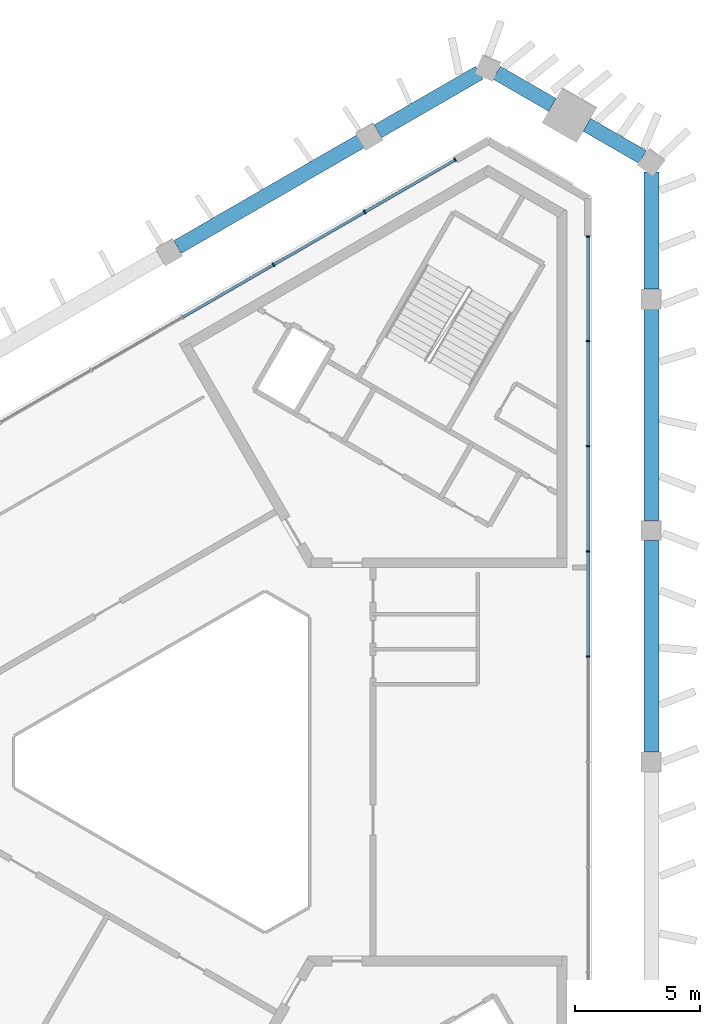
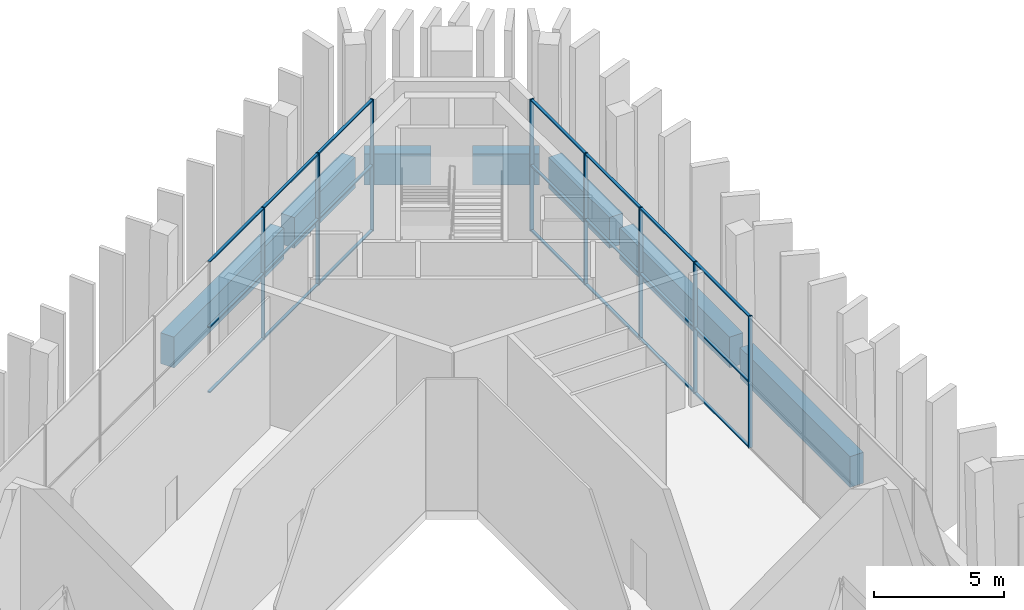
# One storey, part 6 of 13: 29 members, 7 beams, 2 elements without a shape of their own.
"""IFC4 building model written with IfcOpenShell, lengths in metres."""

from ifc_helpers import new_model, si_unit, direction, frame, origin, origin_2d, place, context, subcontext, project, spatial, rectangle, extrude, material, layer, layer_set, material_profile, profile_set, type_object, element, aggregate, save


model = new_model("IFC4")

# Units and contexts
model_context = context("Model", 3, precision=1e-05, world=origin(), true_north=direction((0.0, 1.0)))
body_context = subcontext(model_context, "Body", "Model", "MODEL_VIEW")
ifc_project = project(units=[si_unit("LENGTHUNIT", "METRE"), si_unit("AREAUNIT", "SQUARE_METRE"), si_unit("VOLUMEUNIT", "CUBIC_METRE"), si_unit("PLANEANGLEUNIT", "RADIAN"), si_unit("MASSUNIT", "GRAM", prefix="KILO")], contexts=[model_context])

# Site, building, storey
site_placement = place(None, origin())
site = spatial("IfcSite", under=ifc_project, at=site_placement, CompositionType="ELEMENT")
building_placement = place(site_placement, origin())
building = spatial("IfcBuilding", under=site, at=building_placement, Name="Jabali Bay Hotel Tower and Convention Centre", CompositionType="ELEMENT")
storey_placement = place(building_placement, frame((0.0, 0.0, 315.800048828125)))
storey = spatial("IfcBuildingStorey", under=building, at=storey_placement, Name="L77", CompositionType="ELEMENT", Elevation=315.800048828125)

# Curtain wall, members
ifc_material_1 = material(Name="Aluminium and glass", Category="aluminium")
ifc_layer = layer(ifc_material_1, 0.159912109375)
ifc_layer_set = layer_set([ifc_layer], Name="Aluminium and glass")
curtain_wall_type = type_object("IfcCurtainWallType", Name="CW3 curtain wall", PredefinedType="NOTDEFINED", material=ifc_layer_set)
curtain_wall_1_placement = place(storey_placement, origin())
curtain_wall_1 = element("IfcCurtainWall", 1, at=curtain_wall_1_placement, inside=storey, type_object=curtain_wall_type, Name="CW3 curtain wall east face L77", PredefinedType="NOTDEFINED")
ifc_material_2 = material(Name="Aluminium", Category="aluminium")
ifc_material_profile_1 = material_profile(ifc_material_2, rectangle(XDim=0.159912109375, YDim=0.06005859375, at=origin_2d()), Name="CW3 mullion 60 x 160")
ifc_profile_set_1 = profile_set([ifc_material_profile_1], Name="Aluminium")
member_type_1 = type_object("IfcMemberType", Name="CW3 mullion 60 x 160", PredefinedType="MULLION", material=ifc_profile_set_1)
member_1_placement = place(storey_placement, frame((90.72998046875, 101.08837890625, 0.0), z_axis=(0.0, 0.0, 1.0), x_axis=(1.0, 0.0, 0.0)))
member_1 = element("IfcMember", 2, at=member_1_placement, type_object=member_type_1, Name="CW3 mullion 1", PredefinedType="MULLION", context=body_context, shape_type="SweptSolid", body=[
    extrude(rectangle(XDim=0.159912109375, YDim=0.06005859375, at=origin_2d()), origin(), (0.0, 0.0, 1.0), 6.199951171875),
])
member_2_placement = place(storey_placement, frame((90.72998046875, 96.894775390625, 0.0), z_axis=(0.0, 0.0, 1.0), x_axis=(1.0, 0.0, 0.0)))
member_2 = element("IfcMember", 3, at=member_2_placement, type_object=member_type_1, Name="CW3 mullion 2", PredefinedType="MULLION", context=body_context, shape_type="SweptSolid", body=[
    extrude(rectangle(XDim=0.159912109375, YDim=0.06005859375, at=origin_2d()), origin(), (0.0, 0.0, 1.0), 6.199951171875),
])
member_3_placement = place(storey_placement, frame((90.72998046875, 92.6708984375, 0.0), z_axis=(0.0, 0.0, 1.0), x_axis=(1.0, 0.0, 0.0)))
member_3 = element("IfcMember", 4, at=member_3_placement, type_object=member_type_1, Name="CW3 mullion 3", PredefinedType="MULLION", context=body_context, shape_type="SweptSolid", body=[
    extrude(rectangle(XDim=0.159912109375, YDim=0.06005859375, at=origin_2d()), origin(), (0.0, 0.0, 1.0), 6.199951171875),
])
member_4_placement = place(storey_placement, frame((90.72998046875, 88.447265625, 0.0), z_axis=(0.0, 0.0, 1.0), x_axis=(1.0, 0.0, 0.0)))
member_4 = element("IfcMember", 5, at=member_4_placement, type_object=member_type_1, Name="CW3 mullion 4", PredefinedType="MULLION", context=body_context, shape_type="SweptSolid", body=[
    extrude(rectangle(XDim=0.159912109375, YDim=0.06005859375, at=origin_2d()), origin(), (0.0, 0.0, 1.0), 6.199951171875),
])
member_5_placement = place(storey_placement, frame((90.72998046875, 84.2236328125, 0.0), z_axis=(0.0, 0.0, 1.0), x_axis=(1.0, 0.0, 0.0)))
member_5 = element("IfcMember", 6, at=member_5_placement, type_object=member_type_1, Name="CW3 mullion 5", PredefinedType="MULLION", context=body_context, shape_type="SweptSolid", body=[
    extrude(rectangle(XDim=0.159912109375, YDim=0.06005859375, at=origin_2d()), origin(), (0.0, 0.0, 1.0), 6.199951171875),
])

curtain_wall_2_placement = place(storey_placement, origin())
curtain_wall_2 = element("IfcCurtainWall", 7, at=curtain_wall_2_placement, inside=storey, type_object=curtain_wall_type, Name="CW3 curtain wall north-west face L77", PredefinedType="NOTDEFINED")
member_6_placement = place(storey_placement, frame((78.1083984375, 99.9580078125, 0.0), z_axis=(0.0, 0.0, 1.0), x_axis=(-0.500000004081, 0.866025401428, 0.0)))
member_6 = element("IfcMember", 8, at=member_6_placement, type_object=member_type_1, Name="CW3 mullion 9", PredefinedType="MULLION", context=body_context, shape_type="SweptSolid", body=[
    extrude(rectangle(XDim=0.159912109375, YDim=0.06005859375, at=origin_2d()), origin(), (0.0, 0.0, 1.0), 6.199951171875),
])
member_7_placement = place(storey_placement, frame((81.76611328125, 102.06982421875, 0.0), z_axis=(0.0, 0.0, 1.0), x_axis=(-0.500000004081, 0.866025401428, 0.0)))
member_7 = element("IfcMember", 9, at=member_7_placement, type_object=member_type_1, Name="CW3 mullion 10", PredefinedType="MULLION", context=body_context, shape_type="SweptSolid", body=[
    extrude(rectangle(XDim=0.159912109375, YDim=0.06005859375, at=origin_2d()), origin(), (0.0, 0.0, 1.0), 6.199951171875),
])
member_8_placement = place(storey_placement, frame((85.39794921875, 104.166748046875, 0.0), z_axis=(0.0, 0.0, 1.0), x_axis=(-0.500000004081, 0.866025401428, 0.0)))
member_8 = element("IfcMember", 10, at=member_8_placement, type_object=member_type_1, Name="CW3 mullion 11", PredefinedType="MULLION", context=body_context, shape_type="SweptSolid", body=[
    extrude(rectangle(XDim=0.159912109375, YDim=0.06005859375, at=origin_2d()), origin(), (0.0, 0.0, 1.0), 6.199951171875),
])

# Member
ifc_material_profile_2 = material_profile(ifc_material_2, rectangle(XDim=0.1201171875, YDim=0.06005859375, at=origin_2d()), Name="CW3 transom 60 x 120")
ifc_profile_set_2 = profile_set([ifc_material_profile_2], Name="Aluminium")
member_type_2 = type_object("IfcMemberType", Name="CW3 transom 60 x 120", PredefinedType="USERDEFINED", material=ifc_profile_set_2)
member_9_placement = place(storey_placement, frame((90.72998046875, 101.058349609375, 0.030029296875), z_axis=(0.0, -1.0, 0.0), x_axis=(1.0, 0.0, 0.0)))
member_9 = element("IfcMember", 11, at=member_9_placement, type_object=member_type_2, Name="CW3 transom 1.1", ObjectType="TRANSOM", PredefinedType="USERDEFINED", context=body_context, shape_type="SweptSolid", body=[
    extrude(rectangle(XDim=0.1201171875, YDim=0.06005859375, at=origin_2d()), origin(), (0.0, 0.0, 1.0), 4.133544921875),
])

member_10_placement = place(storey_placement, frame((90.72998046875, 101.058349609375, 3.099853515625), z_axis=(0.0, -1.0, 0.0), x_axis=(1.0, 0.0, 0.0)))
member_10 = element("IfcMember", 12, at=member_10_placement, type_object=member_type_2, Name="CW3 transom 1.2", ObjectType="TRANSOM", PredefinedType="USERDEFINED", context=body_context, shape_type="SweptSolid", body=[
    extrude(rectangle(XDim=0.1201171875, YDim=0.06005859375, at=origin_2d()), origin(), (0.0, 0.0, 1.0), 4.133544921875),
])

member_11_placement = place(storey_placement, frame((90.72998046875, 101.058349609375, 6.169921875), z_axis=(0.0, -1.0, 0.0), x_axis=(1.0, 0.0, 0.0)))
member_11 = element("IfcMember", 13, at=member_11_placement, type_object=member_type_2, Name="CW3 transom 1.3", ObjectType="TRANSOM", PredefinedType="USERDEFINED", context=body_context, shape_type="SweptSolid", body=[
    extrude(rectangle(XDim=0.1201171875, YDim=0.06005859375, at=origin_2d()), origin(), (0.0, 0.0, 1.0), 4.133544921875),
])

member_12_placement = place(storey_placement, frame((90.72998046875, 96.86474609375, 0.030029296875), z_axis=(0.0, -1.0, 0.0), x_axis=(1.0, 0.0, 0.0)))
member_12 = element("IfcMember", 14, at=member_12_placement, type_object=member_type_2, Name="CW3 transom 2.1", ObjectType="TRANSOM", PredefinedType="USERDEFINED", context=body_context, shape_type="SweptSolid", body=[
    extrude(rectangle(XDim=0.1201171875, YDim=0.06005859375, at=origin_2d()), origin(), (0.0, 0.0, 1.0), 4.163818359375),
])

member_13_placement = place(storey_placement, frame((90.72998046875, 96.86474609375, 3.099853515625), z_axis=(0.0, -1.0, 0.0), x_axis=(1.0, 0.0, 0.0)))
member_13 = element("IfcMember", 15, at=member_13_placement, type_object=member_type_2, Name="CW3 transom 2.2", ObjectType="TRANSOM", PredefinedType="USERDEFINED", context=body_context, shape_type="SweptSolid", body=[
    extrude(rectangle(XDim=0.1201171875, YDim=0.06005859375, at=origin_2d()), origin(), (0.0, 0.0, 1.0), 4.163818359375),
])

member_14_placement = place(storey_placement, frame((90.72998046875, 96.86474609375, 6.169921875), z_axis=(0.0, -1.0, 0.0), x_axis=(1.0, 0.0, 0.0)))
member_14 = element("IfcMember", 16, at=member_14_placement, type_object=member_type_2, Name="CW3 transom 2.3", ObjectType="TRANSOM", PredefinedType="USERDEFINED", context=body_context, shape_type="SweptSolid", body=[
    extrude(rectangle(XDim=0.1201171875, YDim=0.06005859375, at=origin_2d()), origin(), (0.0, 0.0, 1.0), 4.163818359375),
])

member_15_placement = place(storey_placement, frame((90.72998046875, 92.64111328125, 0.030029296875), z_axis=(0.0, -1.0, 0.0), x_axis=(1.0, 0.0, 0.0)))
member_15 = element("IfcMember", 17, at=member_15_placement, type_object=member_type_2, Name="CW3 transom 3.1", ObjectType="TRANSOM", PredefinedType="USERDEFINED", context=body_context, shape_type="SweptSolid", body=[
    extrude(rectangle(XDim=0.1201171875, YDim=0.06005859375, at=origin_2d()), origin(), (0.0, 0.0, 1.0), 4.163818359375),
])

member_16_placement = place(storey_placement, frame((90.72998046875, 92.64111328125, 3.099853515625), z_axis=(0.0, -1.0, 0.0), x_axis=(1.0, 0.0, 0.0)))
member_16 = element("IfcMember", 18, at=member_16_placement, type_object=member_type_2, Name="CW3 transom 3.2", ObjectType="TRANSOM", PredefinedType="USERDEFINED", context=body_context, shape_type="SweptSolid", body=[
    extrude(rectangle(XDim=0.1201171875, YDim=0.06005859375, at=origin_2d()), origin(), (0.0, 0.0, 1.0), 4.163818359375),
])

member_17_placement = place(storey_placement, frame((90.72998046875, 92.64111328125, 6.169921875), z_axis=(0.0, -1.0, 0.0), x_axis=(1.0, 0.0, 0.0)))
member_17 = element("IfcMember", 19, at=member_17_placement, type_object=member_type_2, Name="CW3 transom 3.3", ObjectType="TRANSOM", PredefinedType="USERDEFINED", context=body_context, shape_type="SweptSolid", body=[
    extrude(rectangle(XDim=0.1201171875, YDim=0.06005859375, at=origin_2d()), origin(), (0.0, 0.0, 1.0), 4.163818359375),
])

member_18_placement = place(storey_placement, frame((90.72998046875, 88.417236328125, 0.030029296875), z_axis=(0.0, -1.0, 0.0), x_axis=(1.0, 0.0, 0.0)))
member_18 = element("IfcMember", 20, at=member_18_placement, type_object=member_type_2, Name="CW3 transom 4.1", ObjectType="TRANSOM", PredefinedType="USERDEFINED", context=body_context, shape_type="SweptSolid", body=[
    extrude(rectangle(XDim=0.1201171875, YDim=0.06005859375, at=origin_2d()), origin(), (0.0, 0.0, 1.0), 4.16357421875),
])

member_19_placement = place(storey_placement, frame((90.72998046875, 88.417236328125, 3.099853515625), z_axis=(0.0, -1.0, 0.0), x_axis=(1.0, 0.0, 0.0)))
member_19 = element("IfcMember", 21, at=member_19_placement, type_object=member_type_2, Name="CW3 transom 4.2", ObjectType="TRANSOM", PredefinedType="USERDEFINED", context=body_context, shape_type="SweptSolid", body=[
    extrude(rectangle(XDim=0.1201171875, YDim=0.06005859375, at=origin_2d()), origin(), (0.0, 0.0, 1.0), 4.16357421875),
])

member_20_placement = place(storey_placement, frame((90.72998046875, 88.417236328125, 6.169921875), z_axis=(0.0, -1.0, 0.0), x_axis=(1.0, 0.0, 0.0)))
member_20 = element("IfcMember", 22, at=member_20_placement, type_object=member_type_2, Name="CW3 transom 4.3", ObjectType="TRANSOM", PredefinedType="USERDEFINED", context=body_context, shape_type="SweptSolid", body=[
    extrude(rectangle(XDim=0.1201171875, YDim=0.06005859375, at=origin_2d()), origin(), (0.0, 0.0, 1.0), 4.16357421875),
])

aggregate(curtain_wall_1, [member_1, member_2, member_3, member_4, member_5, member_9, member_10, member_11, member_12, member_13, member_14, member_15, member_16, member_17, member_18, member_19, member_20])

member_21_placement = place(storey_placement, frame((74.4765625, 97.861328125, 0.030029296875), z_axis=(0.866037171035, 0.49997961797, 0.0), x_axis=(-0.49997961797, 0.866037171035, 0.0)))
member_21 = element("IfcMember", 23, at=member_21_placement, type_object=member_type_2, Name="CW3 transom 8.1", ObjectType="TRANSOM", PredefinedType="USERDEFINED", context=body_context, shape_type="SweptSolid", body=[
    extrude(rectangle(XDim=0.1201171875, YDim=0.06005859375, at=origin_2d()), origin(), (0.0, 0.0, 1.0), 4.163818359375),
])

member_22_placement = place(storey_placement, frame((74.4765625, 97.861328125, 3.099853515625), z_axis=(0.866037171035, 0.49997961797, 0.0), x_axis=(-0.49997961797, 0.866037171035, 0.0)))
member_22 = element("IfcMember", 24, at=member_22_placement, type_object=member_type_2, Name="CW3 transom 8.2", ObjectType="TRANSOM", PredefinedType="USERDEFINED", context=body_context, shape_type="SweptSolid", body=[
    extrude(rectangle(XDim=0.1201171875, YDim=0.06005859375, at=origin_2d()), origin(), (0.0, 0.0, 1.0), 4.163818359375),
])

member_23_placement = place(storey_placement, frame((74.4765625, 97.861328125, 6.169921875), z_axis=(0.866037171035, 0.49997961797, 0.0), x_axis=(-0.49997961797, 0.866037171035, 0.0)))
member_23 = element("IfcMember", 25, at=member_23_placement, type_object=member_type_2, Name="CW3 transom 8.3", ObjectType="TRANSOM", PredefinedType="USERDEFINED", context=body_context, shape_type="SweptSolid", body=[
    extrude(rectangle(XDim=0.1201171875, YDim=0.06005859375, at=origin_2d()), origin(), (0.0, 0.0, 1.0), 4.163818359375),
])

member_24_placement = place(storey_placement, frame((78.134521484375, 99.97314453125, 0.030029296875), z_axis=(0.866022512394, 0.500005008002, 0.0), x_axis=(-0.500005008002, 0.866022512394, 0.0)))
member_24 = element("IfcMember", 26, at=member_24_placement, type_object=member_type_2, Name="CW3 transom 9.1", ObjectType="TRANSOM", PredefinedType="USERDEFINED", context=body_context, shape_type="SweptSolid", body=[
    extrude(rectangle(XDim=0.1201171875, YDim=0.06005859375, at=origin_2d()), origin(), (0.0, 0.0, 1.0), 4.16357421875),
])

member_25_placement = place(storey_placement, frame((78.134521484375, 99.97314453125, 3.099853515625), z_axis=(0.866022512394, 0.500005008002, 0.0), x_axis=(-0.500005008002, 0.866022512394, 0.0)))
member_25 = element("IfcMember", 27, at=member_25_placement, type_object=member_type_2, Name="CW3 transom 9.2", ObjectType="TRANSOM", PredefinedType="USERDEFINED", context=body_context, shape_type="SweptSolid", body=[
    extrude(rectangle(XDim=0.1201171875, YDim=0.06005859375, at=origin_2d()), origin(), (0.0, 0.0, 1.0), 4.16357421875),
])

member_26_placement = place(storey_placement, frame((78.134521484375, 99.97314453125, 6.169921875), z_axis=(0.866022512394, 0.500005008002, 0.0), x_axis=(-0.500005008002, 0.866022512394, 0.0)))
member_26 = element("IfcMember", 28, at=member_26_placement, type_object=member_type_2, Name="CW3 transom 9.3", ObjectType="TRANSOM", PredefinedType="USERDEFINED", context=body_context, shape_type="SweptSolid", body=[
    extrude(rectangle(XDim=0.1201171875, YDim=0.06005859375, at=origin_2d()), origin(), (0.0, 0.0, 1.0), 4.16357421875),
])

member_27_placement = place(storey_placement, frame((81.792236328125, 102.0849609375, 0.030029296875), z_axis=(0.866017398832, 0.500013864728, 0.0), x_axis=(-0.500013864728, 0.866017398832, 0.0)))
member_27 = element("IfcMember", 29, at=member_27_placement, type_object=member_type_2, Name="CW3 transom 10.1", ObjectType="TRANSOM", PredefinedType="USERDEFINED", context=body_context, shape_type="SweptSolid", body=[
    extrude(rectangle(XDim=0.1201171875, YDim=0.06005859375, at=origin_2d()), origin(), (0.0, 0.0, 1.0), 4.1337890625),
])

member_28_placement = place(storey_placement, frame((81.792236328125, 102.0849609375, 3.099853515625), z_axis=(0.866017398832, 0.500013864728, 0.0), x_axis=(-0.500013864728, 0.866017398832, 0.0)))
member_28 = element("IfcMember", 30, at=member_28_placement, type_object=member_type_2, Name="CW3 transom 10.2", ObjectType="TRANSOM", PredefinedType="USERDEFINED", context=body_context, shape_type="SweptSolid", body=[
    extrude(rectangle(XDim=0.1201171875, YDim=0.06005859375, at=origin_2d()), origin(), (0.0, 0.0, 1.0), 4.1337890625),
])

member_29_placement = place(storey_placement, frame((81.792236328125, 102.0849609375, 6.169921875), z_axis=(0.866017398832, 0.500013864728, 0.0), x_axis=(-0.500013864728, 0.866017398832, 0.0)))
member_29 = element("IfcMember", 31, at=member_29_placement, type_object=member_type_2, Name="CW3 transom 10.3", ObjectType="TRANSOM", PredefinedType="USERDEFINED", context=body_context, shape_type="SweptSolid", body=[
    extrude(rectangle(XDim=0.1201171875, YDim=0.06005859375, at=origin_2d()), origin(), (0.0, 0.0, 1.0), 4.1337890625),
])

aggregate(curtain_wall_2, [member_6, member_7, member_8, member_21, member_22, member_23, member_24, member_25, member_26, member_27, member_28, member_29])

# Beams
ifc_material_3 = material(Name="Concrete C60", Category="concrete")
ifc_material_profile_3 = material_profile(ifc_material_3, rectangle(XDim=0.60009765625, YDim=1.449951171875, at=origin_2d()), Name="Spandrel 600x1450")
ifc_profile_set_3 = profile_set([ifc_material_profile_3], Name="Concrete C60")
beam_type = type_object("IfcBeamType", Name="Spandrel 600x1450", PredefinedType="SPANDREL", material=ifc_profile_set_3)
beam_1_placement = place(storey_placement, frame((89.302001953125, 106.3720703125, 0.375), z_axis=(-0.866007809968, 0.500030472146, 0.0), x_axis=(-0.500030472146, -0.866007809968, 0.0)))
element("IfcBeam", 32, at=beam_1_placement, inside=storey, type_object=beam_type, Name="Spandrel M1-V2 L77", PredefinedType="SPANDREL", context=body_context, shape_type="SweptSolid", body=[
    extrude(rectangle(XDim=0.60009765625, YDim=1.449951171875, at=origin_2d()), origin(), (0.0, 0.0, 1.0), 2.584228515625),
])
beam_2_placement = place(storey_placement, frame((86.37109375, 107.664306640625, 0.375), z_axis=(-0.866027409508, -0.499996525969, 0.0), x_axis=(0.499996525969, -0.866027409508, 0.0)))
element("IfcBeam", 33, at=beam_2_placement, inside=storey, type_object=beam_type, Name="Spandrel V2-F1.1 L77", PredefinedType="SPANDREL", context=body_context, shape_type="SweptSolid", body=[
    extrude(rectangle(XDim=0.60009765625, YDim=1.449951171875, at=origin_2d()), origin(), (0.0, 0.0, 1.0), 4.70361328125),
])
beam_3_placement = place(storey_placement, frame((81.604736328125, 104.912353515625, 0.375), z_axis=(-0.866030874578, -0.499990524188, 0.0), x_axis=(0.499990524188, -0.866030874578, 0.0)))
element("IfcBeam", 34, at=beam_3_placement, inside=storey, type_object=beam_type, Name="Spandrel F1.1-F1.2 L77", PredefinedType="SPANDREL", context=body_context, shape_type="SweptSolid", body=[
    extrude(rectangle(XDim=0.60009765625, YDim=1.449951171875, at=origin_2d()), origin(), (0.0, 0.0, 1.0), 8.488037109375),
])
for number, where, z_axis, x_axis, name in (
    (35, (93.2724609375, 80.39990234375, 0.375), (0.0, 1.0, 0.0), (-1.0, 0.0, 0.0), "Spandrel F0.3-F0.4 L77"),
    (36, (93.2724609375, 89.68798828125, 0.375), (0.0, 1.0, 0.0), (-1.0, 0.0, 0.0), "Spandrel F0.4-F0.5 L77"),
):
    element("IfcBeam", number, at=place(storey_placement, frame(where, z_axis=z_axis, x_axis=x_axis)), inside=storey, type_object=beam_type, Name=name, PredefinedType="SPANDREL", context=body_context, shape_type="SweptSolid", body=[
        extrude(rectangle(XDim=0.60009765625, YDim=1.449951171875, at=origin_2d()), origin(), (0.0, 0.0, 1.0), 8.48828125),
    ])
beam_4_placement = place(storey_placement, frame((93.2724609375, 98.97607421875, 0.375), z_axis=(0.0, 1.0, 0.0), x_axis=(-1.0, 0.0, 0.0)))
element("IfcBeam", 37, at=beam_4_placement, inside=storey, type_object=beam_type, Name="Spandrel F0.5-V1 L77", PredefinedType="SPANDREL", context=body_context, shape_type="SweptSolid", body=[
    extrude(rectangle(XDim=0.60009765625, YDim=1.449951171875, at=origin_2d()), origin(), (0.0, 0.0, 1.0), 4.70361328125),
])
beam_5_placement = place(storey_placement, frame((92.926025390625, 104.27978515625, 0.375), z_axis=(-0.866031427484, 0.4999895665, 0.0), x_axis=(-0.4999895665, -0.866031427484, 0.0)))
element("IfcBeam", 38, at=beam_5_placement, inside=storey, type_object=beam_type, Name="Spandrel V1-M1 L77", PredefinedType="SPANDREL", context=body_context, shape_type="SweptSolid", body=[
    extrude(rectangle(XDim=0.60009765625, YDim=1.449951171875, at=origin_2d()), origin(), (0.0, 0.0, 1.0), 2.58447265625),
])

save(model, "model.ifc")
